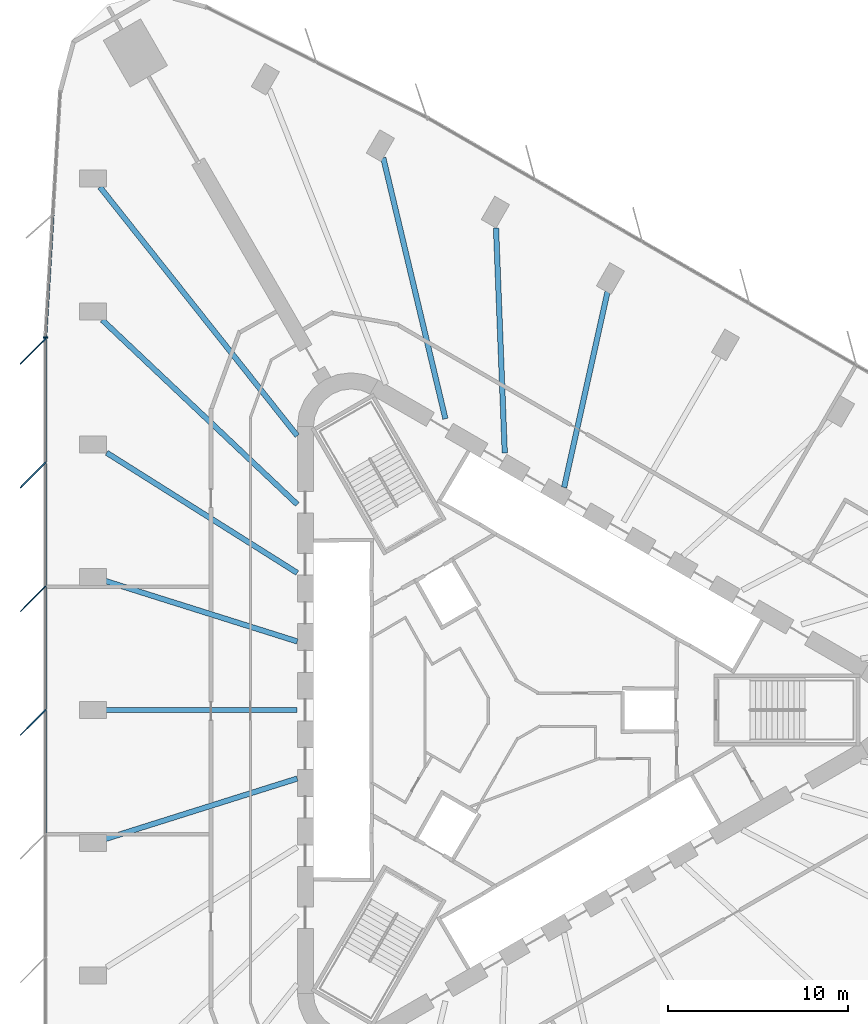
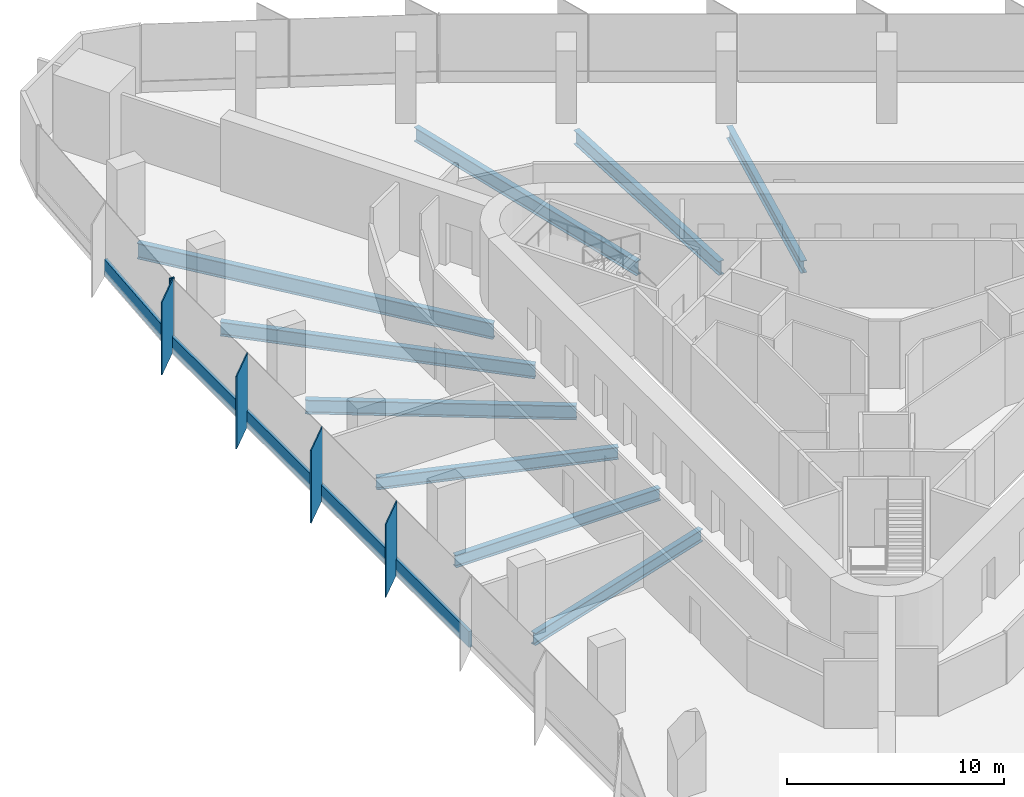
# One storey, part 4 of 14: 10 members, 9 beams, 2 elements without a shape of their own.
"""IFC4 building model written with IfcOpenShell, lengths in metres."""

from ifc_helpers import new_model, si_unit, direction, frame, origin, origin_2d, place, context, subcontext, project, spatial, rectangle, i_section, extrude, material, material_profile, profile_set, type_object, element, aggregate, save


model = new_model("IFC4")

# Units and contexts
model_context = context("Model", 3, precision=1e-05, world=origin(), true_north=direction((0.0, 1.0)))
body_context = subcontext(model_context, "Body", "Model", "MODEL_VIEW")
ifc_project = project(units=[si_unit("LENGTHUNIT", "METRE"), si_unit("AREAUNIT", "SQUARE_METRE"), si_unit("VOLUMEUNIT", "CUBIC_METRE"), si_unit("PLANEANGLEUNIT", "RADIAN"), si_unit("MASSUNIT", "GRAM", prefix="KILO")], contexts=[model_context])

# Site, building, storey
site_placement = place(None, origin())
site = spatial("IfcSite", under=ifc_project, at=site_placement, CompositionType="ELEMENT")
building_placement = place(site_placement, origin())
building = spatial("IfcBuilding", under=site, at=building_placement, Name="Tanit Gate Tower", CompositionType="ELEMENT")
storey_placement = place(building_placement, frame((0.0, 0.0, 45.5)))
storey = spatial("IfcBuildingStorey", under=building, at=storey_placement, Name="L07", CompositionType="ELEMENT", Elevation=45.5)

# Curtain wall, members
ifc_material_1 = material(Name="Aluminium bronze anodised and glass", Category="aluminium")
curtain_wall_type = type_object("IfcCurtainWallType", Name="Curtain wall typical low", PredefinedType="NOTDEFINED", material=ifc_material_1)
curtain_wall_1_placement = place(storey_placement, origin())
curtain_wall_1 = element("IfcCurtainWall", 1, at=curtain_wall_1_placement, inside=storey, type_object=curtain_wall_type, Name="Curtain wall L07 W2", PredefinedType="NOTDEFINED")
ifc_material_2 = material(Name="Aluminium bronze anodised", Category="aluminium")
ifc_material_profile_1 = material_profile(ifc_material_2, rectangle(XDim=2.0, YDim=0.055908203125, at=origin_2d()), Name="56x2000 bronze fin mullion")
ifc_profile_set_1 = profile_set([ifc_material_profile_1], Name="Aluminium bronze anodised")
member_type_1 = type_object("IfcMemberType", Name="FIN MULLION 56x2000 bronze", PredefinedType="MULLION", material=ifc_profile_set_1)
member_1_placement = place(storey_placement, frame((-26.80078125, 19.9541015625, -0.300048828125), z_axis=(0.0, 0.0, 1.0), x_axis=(0.707057749571, 0.707155809403, 0.0)))
member_1 = element("IfcMember", 2, at=member_1_placement, type_object=member_type_1, Name="Fin mullion L07 W2.1", PredefinedType="MULLION", context=body_context, shape_type="SweptSolid", body=[
    extrude(rectangle(XDim=2.0, YDim=0.055908203125, at=origin_2d()), origin(), (0.0, 0.0, 1.0), 4.10009765625),
])
member_2_placement = place(storey_placement, frame((-26.800537109375, 13.072265625, -0.300048828125), z_axis=(0.0, 0.0, 1.0), x_axis=(0.707057749571, 0.707155809403, 0.0)))
member_2 = element("IfcMember", 3, at=member_2_placement, type_object=member_type_1, Name="Fin mullion L07 W2.2", PredefinedType="MULLION", context=body_context, shape_type="SweptSolid", body=[
    extrude(rectangle(XDim=2.0, YDim=0.055908203125, at=origin_2d()), origin(), (0.0, 0.0, 1.0), 4.10009765625),
])
member_3_placement = place(storey_placement, frame((-26.800048828125, 6.190673828125, -0.300048828125), z_axis=(0.0, 0.0, 1.0), x_axis=(0.707057749571, 0.707155809403, 0.0)))
member_3 = element("IfcMember", 4, at=member_3_placement, type_object=member_type_1, Name="Fin mullion L07 W2.3", PredefinedType="MULLION", context=body_context, shape_type="SweptSolid", body=[
    extrude(rectangle(XDim=2.0, YDim=0.055908203125, at=origin_2d()), origin(), (0.0, 0.0, 1.0), 4.10009765625),
])
member_4_placement = place(storey_placement, frame((-26.799560546875, -0.691162109375, -0.300048828125), z_axis=(0.0, 0.0, 1.0), x_axis=(0.707057749571, 0.707155809403, 0.0)))
member_4 = element("IfcMember", 5, at=member_4_placement, type_object=member_type_1, Name="Fin mullion L07 W2.4", PredefinedType="MULLION", context=body_context, shape_type="SweptSolid", body=[
    extrude(rectangle(XDim=2.0, YDim=0.055908203125, at=origin_2d()), origin(), (0.0, 0.0, 1.0), 4.10009765625),
])

# Curtain wall, member
curtain_wall_2_placement = place(storey_placement, origin())
curtain_wall_2 = element("IfcCurtainWall", 6, at=curtain_wall_2_placement, inside=storey, type_object=curtain_wall_type, Name="Curtain wall L07 W1", PredefinedType="NOTDEFINED")
ifc_material_3 = material(Name="Aluminium bronze anodised", Category="aluminium")
ifc_material_profile_2 = material_profile(ifc_material_3, rectangle(XDim=0.239990234375, YDim=0.080078125, at=origin_2d()), Name="80x240 bronze mullion")
ifc_profile_set_2 = profile_set([ifc_material_profile_2], Name="Aluminium bronze anodised")
member_type_2 = type_object("IfcMemberType", Name="Mullion 80x240 typical low", PredefinedType="MULLION", material=ifc_profile_set_2)
member_5_placement = place(storey_placement, frame((-26.107421875, 20.72509765625, -0.300048828125), z_axis=(0.0, 0.0, 1.0), x_axis=(0.998209687351, -0.059811538009, 0.0)))
member_5 = element("IfcMember", 7, at=member_5_placement, type_object=member_type_2, Name="Mullion L07 W1.3", PredefinedType="MULLION", context=body_context, shape_type="SweptSolid", body=[
    extrude(rectangle(XDim=0.239990234375, YDim=0.080078125, at=origin_2d()), origin(), (0.0, 0.0, 1.0), 4.10009765625),
])

# Beams
ifc_material_4 = material(Name="Steel S355", Category="steel")
ifc_material_profile_3 = material_profile(ifc_material_4, i_section(OverallWidth=0.300048828125, OverallDepth=0.68994140625, WebThickness=0.014404296875, FlangeThickness=0.027099609375, FilletRadius=0.027099609375, at=origin_2d()), Name="HEA 700")
ifc_profile_set_3 = profile_set([ifc_material_profile_3], Name="Steel S355")
beam_type_1 = type_object("IfcBeamType", Name="RADIAL GIRDER HEA 700 S355", PredefinedType="BEAM", material=ifc_profile_set_3)
for number, where, z_axis, x_axis, name in (
    (8, (-23.00341796875, -7.24951171875, -0.64501953125), (0.953758116105, 0.300575208498, 0.0), (-0.300575208498, 0.953758116105, 0.0), "RADIAL GIRDER"),
    (9, (5.223388671875, 23.54638671875, -0.64501953125), (-0.216566322121, -0.976267907965, 0.0), (0.976267907965, -0.216566322121, 0.0), "RADIAL GIRDER"),
    (10, (-23.00341796875, 7.24951171875, -0.64501953125), (0.953758116105, -0.300575208498, 0.0), (0.300575208498, 0.953758116105, 0.0), "RADIAL GIRDER"),
):
    element("IfcBeam", number, at=place(storey_placement, frame(where, z_axis=z_axis, x_axis=x_axis)), inside=storey, type_object=beam_type_1, Name=name, PredefinedType="BEAM", context=body_context, shape_type="SweptSolid", body=[
        extrude(i_section(OverallWidth=0.300048828125, OverallDepth=0.68994140625, WebThickness=0.014404296875, FlangeThickness=0.027099609375, FilletRadius=0.027099609375, at=origin_2d()), origin(), (0.0, 0.0, 1.0), 11.429931640625),
    ])
beam_1_placement = place(storey_placement, frame((-23.00341796875, 0.0, -0.64501953125), z_axis=(1.0, 0.0, 0.0), x_axis=(0.0, 1.0, 0.0)))
element("IfcBeam", 11, at=beam_1_placement, inside=storey, type_object=beam_type_1, Name="RADIAL GIRDER", PredefinedType="BEAM", context=body_context, shape_type="SweptSolid", body=[
    extrude(i_section(OverallWidth=0.300048828125, OverallDepth=0.68994140625, WebThickness=0.014404296875, FlangeThickness=0.027099609375, FilletRadius=0.027099609375, at=origin_2d()), origin(), (0.0, 0.0, 1.0), 10.9013671875),
])
ifc_material_5 = material(Name="Steel S355", Category="steel")
ifc_material_profile_4 = material_profile(ifc_material_5, i_section(OverallWidth=0.300048828125, OverallDepth=0.7900390625, WebThickness=0.014892578125, FlangeThickness=0.028076171875, FilletRadius=0.030029296875, at=origin_2d()), Name="HEA 800")
ifc_profile_set_4 = profile_set([ifc_material_profile_4], Name="Steel S355")
beam_type_2 = type_object("IfcBeamType", Name="RADIAL GIRDER HEA 800 S355", PredefinedType="BEAM", material=ifc_profile_set_4)
beam_2_placement = place(storey_placement, frame((-1.041259765625, 26.81689453125, -0.695068359375), z_axis=(0.038788513733, -0.99924744243, 0.0), x_axis=(0.99924744243, 0.038788513733, 0.0)))
element("IfcBeam", 12, at=beam_2_placement, inside=storey, type_object=beam_type_2, Name="RADIAL GIRDER", PredefinedType="BEAM", context=body_context, shape_type="SweptSolid", body=[
    extrude(i_section(OverallWidth=0.300048828125, OverallDepth=0.7900390625, WebThickness=0.014892578125, FlangeThickness=0.028076171875, FilletRadius=0.030029296875, at=origin_2d()), origin(), (0.0, 0.0, 1.0), 12.53173828125),
])
beam_3_placement = place(storey_placement, frame((-7.316650390625, 30.725830078125, -0.695068359375), z_axis=(0.231658845557, -0.972797090495, 0.0), x_axis=(0.972797090495, 0.231658845557, 0.0)))
element("IfcBeam", 13, at=beam_3_placement, inside=storey, type_object=beam_type_2, Name="RADIAL GIRDER", PredefinedType="BEAM", context=body_context, shape_type="SweptSolid", body=[
    extrude(i_section(OverallWidth=0.300048828125, OverallDepth=0.7900390625, WebThickness=0.014892578125, FlangeThickness=0.028076171875, FilletRadius=0.030029296875, at=origin_2d()), origin(), (0.0, 0.0, 1.0), 14.930419921875),
])
beam_4_placement = place(storey_placement, frame((-22.950927734375, 21.69921875, -0.695068359375), z_axis=(0.726639827007, -0.687018603683, 0.0), x_axis=(0.687018603683, 0.726639827007, 0.0)))
element("IfcBeam", 14, at=beam_4_placement, inside=storey, type_object=beam_type_2, Name="RADIAL GIRDER", PredefinedType="BEAM", context=body_context, shape_type="SweptSolid", body=[
    extrude(i_section(OverallWidth=0.300048828125, OverallDepth=0.7900390625, WebThickness=0.014892578125, FlangeThickness=0.028076171875, FilletRadius=0.030029296875, at=origin_2d()), origin(), (0.0, 0.0, 1.0), 14.93017578125),
])
beam_5_placement = place(storey_placement, frame((-22.703369140625, 14.310302734375, -0.695068359375), z_axis=(0.845964004255, -0.533240005537, 0.0), x_axis=(0.533240005537, 0.845964004255, 0.0)))
element("IfcBeam", 15, at=beam_5_placement, inside=storey, type_object=beam_type_2, Name="RADIAL GIRDER", PredefinedType="BEAM", context=body_context, shape_type="SweptSolid", body=[
    extrude(i_section(OverallWidth=0.300048828125, OverallDepth=0.7900390625, WebThickness=0.014892578125, FlangeThickness=0.028076171875, FilletRadius=0.030029296875, at=origin_2d()), origin(), (0.0, 0.0, 1.0), 12.53173828125),
])
ifc_material_6 = material(Name="Steel S355", Category="steel")
ifc_material_profile_5 = material_profile(ifc_material_6, i_section(OverallWidth=0.300048828125, OverallDepth=0.889892578125, WebThickness=0.01611328125, FlangeThickness=0.030029296875, FilletRadius=0.030029296875, at=origin_2d()), Name="HEA 900")
ifc_profile_set_5 = profile_set([ifc_material_profile_5], Name="Steel S355")
beam_type_3 = type_object("IfcBeamType", Name="RADIAL GIRDER HEA 900 S355", PredefinedType="BEAM", material=ifc_profile_set_5)
beam_6_placement = place(storey_placement, frame((-23.07666015625, 29.0908203125, -0.7451171875), z_axis=(0.621472845829, -0.783435703742, 0.0), x_axis=(0.783435703742, 0.621472845829, 0.0)))
element("IfcBeam", 16, at=beam_6_placement, inside=storey, type_object=beam_type_3, Name="RADIAL GIRDER", PredefinedType="BEAM", context=body_context, shape_type="SweptSolid", body=[
    extrude(i_section(OverallWidth=0.300048828125, OverallDepth=0.889892578125, WebThickness=0.01611328125, FlangeThickness=0.030029296875, FilletRadius=0.030029296875, at=origin_2d()), origin(), (0.0, 0.0, 1.0), 17.658935546875),
])

# Member
ifc_material_7 = material(Name="Aluminium bronze anodised", Category="aluminium")
ifc_material_profile_6 = material_profile(ifc_material_7, rectangle(XDim=0.159912109375, YDim=0.89990234375, at=origin_2d()), Name="160x900 bronze transom")
ifc_profile_set_6 = profile_set([ifc_material_profile_6], Name="Aluminium bronze anodised")
member_type_3 = type_object("IfcMemberType", Name="Transom 160x900 typical low", PredefinedType="USERDEFINED", material=ifc_profile_set_6)
member_6_placement = place(storey_placement, frame((-25.699462890625, 27.53369140625, 0.14990234375), z_axis=(-0.059804752776, -0.998210093891, 0.0), x_axis=(0.998210093891, -0.059804752776, 0.0)))
member_6 = element("IfcMember", 17, at=member_6_placement, type_object=member_type_3, Name="Transom L07 W1.2", ObjectType="TRANSOM", PredefinedType="USERDEFINED", context=body_context, shape_type="SweptSolid", body=[
    extrude(rectangle(XDim=0.159912109375, YDim=0.89990234375, at=origin_2d()), origin(), (0.0, 0.0, 1.0), 6.78076171875),
])

aggregate(curtain_wall_2, [member_5, member_6])

member_7_placement = place(storey_placement, frame((-26.10986328125, 20.605224609375, 0.14990234375), z_axis=(7.1787509e-05, -0.999999997423, 0.0), x_axis=(0.999999997423, 7.1787509e-05, 0.0)))
member_7 = element("IfcMember", 18, at=member_7_placement, type_object=member_type_3, Name="Transom L07 W2.1", ObjectType="TRANSOM", PredefinedType="USERDEFINED", context=body_context, shape_type="SweptSolid", body=[
    extrude(rectangle(XDim=0.159912109375, YDim=0.89990234375, at=origin_2d()), origin(), (0.0, 0.0, 1.0), 6.8017578125),
])

member_8_placement = place(storey_placement, frame((-26.109375, 13.723388671875, 0.14990234375), z_axis=(7.1790086e-05, -0.999999997423, 0.0), x_axis=(0.999999997423, 7.1790086e-05, 0.0)))
member_8 = element("IfcMember", 19, at=member_8_placement, type_object=member_type_3, Name="Transom L07 W2.2", ObjectType="TRANSOM", PredefinedType="USERDEFINED", context=body_context, shape_type="SweptSolid", body=[
    extrude(rectangle(XDim=0.159912109375, YDim=0.89990234375, at=origin_2d()), origin(), (0.0, 0.0, 1.0), 6.801513671875),
])

member_9_placement = place(storey_placement, frame((-26.10888671875, 6.841796875, 0.14990234375), z_axis=(7.1787509e-05, -0.999999997423, 0.0), x_axis=(0.999999997423, 7.1787509e-05, 0.0)))
member_9 = element("IfcMember", 20, at=member_9_placement, type_object=member_type_3, Name="Transom L07 W2.3", ObjectType="TRANSOM", PredefinedType="USERDEFINED", context=body_context, shape_type="SweptSolid", body=[
    extrude(rectangle(XDim=0.159912109375, YDim=0.89990234375, at=origin_2d()), origin(), (0.0, 0.0, 1.0), 6.8017578125),
])

member_10_placement = place(storey_placement, frame((-26.1083984375, -0.0400390625, 0.14990234375), z_axis=(7.1787509e-05, -0.999999997423, 0.0), x_axis=(0.999999997423, 7.1787509e-05, 0.0)))
member_10 = element("IfcMember", 21, at=member_10_placement, type_object=member_type_3, Name="Transom L07 W2.4", ObjectType="TRANSOM", PredefinedType="USERDEFINED", context=body_context, shape_type="SweptSolid", body=[
    extrude(rectangle(XDim=0.159912109375, YDim=0.89990234375, at=origin_2d()), origin(), (0.0, 0.0, 1.0), 6.8017578125),
])

aggregate(curtain_wall_1, [member_1, member_2, member_3, member_4, member_7, member_8, member_9, member_10])

save(model, "model.ifc")
